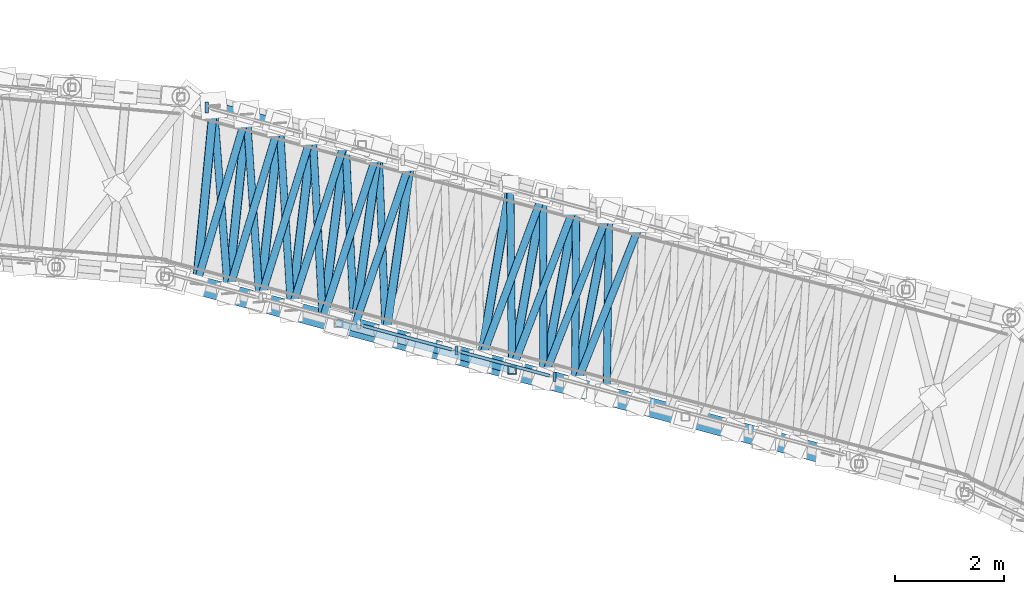
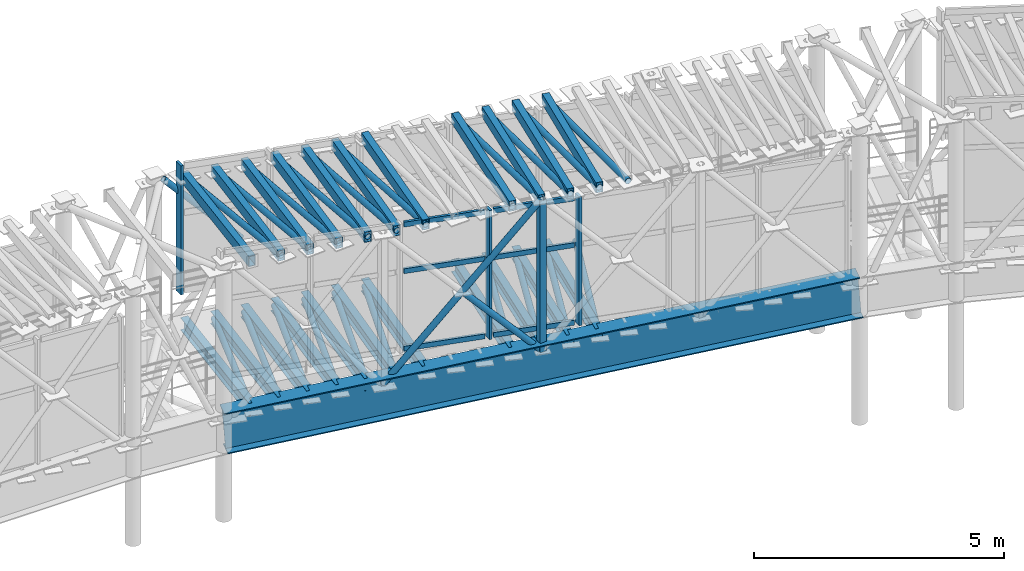
# One storey, part 58 of 144: 44 members, 12 beams, 2 elements without a shape of their own.
"""IFC4 building model written with IfcOpenShell, lengths in metres."""

import ifcopenshell
import ifcopenshell.guid

model = None  # the IFC model being written
_history = None  # IfcOwnerHistory: only IFC2X3 demands one
_inside = {}  # id of a spatial element -> (the spatial element, [elements in it])
_under = {}  # id of a project, library or spatial element -> (it, [spatial elements below it])
_declared = {}  # id of a project -> (the project, [libraries it declares])
_typed = {}  # id of a type object -> (the type object, [elements of that type])
_made_of = {}  # id of a material, layer set ... -> (it, [elements and type objects made of it])


def new_model(schema):
    """Start an empty IFC model of exactly this schema.

    Asked for "IFC4X3", IfcOpenShell would pick the latest addendum, in which some entities
    have other attributes; the version numbers below select the first issue.
    IFC2X3 requires an IfcOwnerHistory on every rooted entity: one is made here for all.
    """
    global model, _history
    if schema == "IFC4X3":
        model = ifcopenshell.file(schema_version=(4, 3, 0, 0))
    else:
        model = ifcopenshell.file(schema=schema)
    _inside.clear()
    _under.clear()
    _declared.clear()
    _typed.clear()
    _made_of.clear()
    _history = None
    if model.schema == "IFC2X3":
        org = make("IfcOrganization", Name="unknown")
        user = make(
            "IfcPersonAndOrganization",
            ThePerson=make("IfcPerson", FamilyName="unknown"),
            TheOrganization=org,
        )
        app = make(
            "IfcApplication",
            ApplicationDeveloper=org,
            Version="unknown",
            ApplicationFullName="unknown",
            ApplicationIdentifier="unknown",
        )
        _history = make(
            "IfcOwnerHistory",
            OwningUser=user,
            OwningApplication=app,
            ChangeAction="ADDED",
            CreationDate=0,
        )
    return model


def make(cls, **values):
    """One entity of the class cls with the attributes given. An attribute that is None is left unset."""
    return model.create_entity(
        cls, **{name: value for name, value in values.items() if value is not None}
    )


def rooted(cls, **values):
    """An entity with a GlobalId (a new one), such as an element, a storey or a relation."""
    return make(cls, GlobalId=ifcopenshell.guid.new(), OwnerHistory=_history, **values)


def si_unit(unit_type, name, prefix=None):
    """IfcSIUnit, for example si_unit("LENGTHUNIT", "METRE", prefix="MILLI")."""
    return make("IfcSIUnit", UnitType=unit_type, Prefix=prefix, Name=name)


def assignment(units):
    """IfcUnitAssignment: the units of a project."""
    return None if units is None else make("IfcUnitAssignment", Units=units)


def point(xyz):
    """IfcCartesianPoint."""
    return None if xyz is None else make("IfcCartesianPoint", Coordinates=xyz)


def direction(xyz):
    """IfcDirection."""
    return None if xyz is None else make("IfcDirection", DirectionRatios=xyz)


def frame(location, z_axis=None, x_axis=None):
    """IfcAxis2Placement3D, a coordinate frame: its origin and axes. An axis left out is left unset."""
    return make(
        "IfcAxis2Placement3D",
        Location=point(location),
        Axis=direction(z_axis),
        RefDirection=direction(x_axis),
    )


def frame_2d(location, x_axis=None):
    """IfcAxis2Placement2D, a coordinate frame in the plane: its origin and x axis."""
    return make(
        "IfcAxis2Placement2D", Location=point(location), RefDirection=direction(x_axis)
    )


def origin():
    """The frame at (0, 0, 0) with its axes left unset."""
    return frame((0.0, 0.0, 0.0))


def origin_2d():
    """The frame at (0, 0) in the plane with its x axis left unset."""
    return frame_2d((0.0, 0.0))


def place(relative_to, where):
    """IfcLocalPlacement: puts the frame where relative to a parent placement (None: the world)."""
    return make(
        "IfcLocalPlacement", PlacementRelTo=relative_to, RelativePlacement=where
    )


def context(
    kind, dimensions, precision=None, world=None, true_north=None, identifier=None
):
    """IfcGeometricRepresentationContext, for example the 3D "Model" context."""
    return make(
        "IfcGeometricRepresentationContext",
        ContextIdentifier=identifier,
        ContextType=kind,
        CoordinateSpaceDimension=dimensions,
        Precision=precision,
        WorldCoordinateSystem=world,
        TrueNorth=true_north,
    )


def subcontext(parent, identifier, kind, view, scale=None):
    """IfcGeometricRepresentationSubContext, for example "Body" below "Model"."""
    return make(
        "IfcGeometricRepresentationSubContext",
        ContextIdentifier=identifier,
        ContextType=kind,
        ParentContext=parent,
        TargetScale=scale,
        TargetView=view,
    )


def project(units=None, contexts=None):
    """IfcProject with its units and contexts."""
    return rooted(
        "IfcProject",
        Name="project",
        RepresentationContexts=contexts,
        UnitsInContext=assignment(units),
    )


def spatial(cls, under=None, at=None, **own):
    """A site, building, storey or space (cls), placed at a placement, below another one or the project."""
    s = rooted(cls, ObjectPlacement=at, **own)
    if under is not None:
        _under.setdefault(under.id(), (under, []))[1].append(s)
    return s


def profile(cls, at=None, kind="AREA", **sizes):
    """A parametric profile (cls). Its sizes go by their IFC names, for example OverallWidth=200.0."""
    return make(cls, ProfileType=kind, Position=at, **sizes)


def rectangle(**sizes):
    """IfcRectangleProfileDef."""
    return profile("IfcRectangleProfileDef", **sizes)


def hollow_rectangle(**sizes):
    """IfcRectangleHollowProfileDef."""
    return profile("IfcRectangleHollowProfileDef", **sizes)


def hollow_circle(**sizes):
    """IfcCircleHollowProfileDef."""
    return profile("IfcCircleHollowProfileDef", **sizes)


def i_section(**sizes):
    """IfcIShapeProfileDef."""
    return profile("IfcIShapeProfileDef", **sizes)


def extrude(swept, where, along, depth):
    """IfcExtrudedAreaSolid: the profile swept, set in the frame where, extruded along a direction by depth."""
    return make(
        "IfcExtrudedAreaSolid",
        SweptArea=swept,
        Position=where,
        ExtrudedDirection=direction(along),
        Depth=depth,
    )


def shape(context_of_items, identifier, shape_type, items):
    """IfcShapeRepresentation: the items that make up one representation, for example the "Body"."""
    return make(
        "IfcShapeRepresentation",
        ContextOfItems=context_of_items,
        RepresentationIdentifier=identifier,
        RepresentationType=shape_type,
        Items=items,
    )


def material(Name=None, Category=None):
    """IfcMaterial."""
    return make("IfcMaterial", Name=Name, Category=Category)


def material_profile(
    of_material, cross_section, Name=None, Category=None, Priority=None
):
    """IfcMaterialProfile: a cross section and its material."""
    return make(
        "IfcMaterialProfile",
        Name=Name,
        Material=of_material,
        Profile=cross_section,
        Priority=Priority,
        Category=Category,
    )


def profile_set(profiles, Name=None, composite=None):
    """IfcMaterialProfileSet."""
    return make(
        "IfcMaterialProfileSet",
        Name=Name,
        MaterialProfiles=profiles,
        CompositeProfile=composite,
    )


def made_of(thing, what):
    """Note that an element or type object is made of a material, layer set ...; save() writes the relation."""
    if what is not None:
        _made_of.setdefault(what.id(), (what, []))[1].append(thing)
    return thing


def type_object(cls, material=None, **own):
    """A type object (cls), such as IfcWallType, which elements share."""
    return made_of(rooted(cls, **own), material)


def element(
    cls,
    number,
    at=None,
    inside=None,
    cuts=None,
    type_object=None,
    material=None,
    context=None,
    identifier="Body",
    shape_type=None,
    held_by="IfcProductDefinitionShape",
    body=None,
    shapes=None,
    **own,
):
    """One element of the class cls, such as IfcWall. Its Tag is "e" and its number.

    at: its placement. inside: the storey or other place that contains it. cuts: it is an
    opening in that element (IfcRelVoidsElement). A single representation is given by context,
    identifier, shape_type and body (its items); several are given by shapes. held_by: the class
    of the entity that holds the representations. save() writes the other relations.
    """
    e = rooted(cls, Tag="e%d" % number, ObjectPlacement=at, **own)
    if body is not None:
        shapes = [shape(context, identifier, shape_type, body)]
    if shapes is not None:
        e.Representation = make(held_by, Representations=shapes)
    if inside is not None:
        _inside.setdefault(inside.id(), (inside, []))[1].append(e)
    if cuts is not None:
        rooted(
            "IfcRelVoidsElement", RelatingBuildingElement=cuts, RelatedOpeningElement=e
        )
    if type_object is not None:
        _typed.setdefault(type_object.id(), (type_object, []))[1].append(e)
    return made_of(e, material)


def aggregate(whole, parts):
    """IfcRelAggregates: a whole, such as a stair, and the parts it consists of."""
    return rooted("IfcRelAggregates", RelatingObject=whole, RelatedObjects=parts)


def save(model, path):
    """Write the relations noted so far, then the file.

    IfcRelAggregates (storeys below a building ...), IfcRelContainedInSpatialStructure (elements
    in a storey), IfcRelDefinesByType, IfcRelAssociatesMaterial and IfcRelDeclares: one each for
    every whole, place, type object, material and project.
    """
    for whole, parts in _under.values():
        aggregate(whole, parts)
    for where, things in _inside.values():
        rooted(
            "IfcRelContainedInSpatialStructure",
            RelatedElements=things,
            RelatingStructure=where,
        )
    for kind, things in _typed.values():
        rooted("IfcRelDefinesByType", RelatedObjects=things, RelatingType=kind)
    for what, things in _made_of.values():
        rooted("IfcRelAssociatesMaterial", RelatedObjects=things, RelatingMaterial=what)
    for by, libraries in _declared.values():
        rooted("IfcRelDeclares", RelatingContext=by, RelatedDefinitions=libraries)
    model.write(path)


model = new_model("IFC4")

# Units and contexts
model_context = context("Model", 3, precision=1e-05, world=origin(), true_north=direction((0.0, 1.0)))
body_context = subcontext(model_context, "Body", "Model", "MODEL_VIEW")
ifc_project = project(units=[si_unit("LENGTHUNIT", "METRE"), si_unit("AREAUNIT", "SQUARE_METRE"), si_unit("VOLUMEUNIT", "CUBIC_METRE"), si_unit("PLANEANGLEUNIT", "RADIAN"), si_unit("MASSUNIT", "GRAM", prefix="KILO")], contexts=[model_context])

# Site, building, storey
site_placement = place(None, origin())
site = spatial("IfcSite", under=ifc_project, at=site_placement, CompositionType="ELEMENT")
building_placement = place(site_placement, origin())
building = spatial("IfcBuilding", under=site, at=building_placement, Name="Cinderbank Siding Concert Hall", CompositionType="ELEMENT")
storey_placement = place(building_placement, frame((0.0, 0.0, 5.39990234375)))
storey = spatial("IfcBuildingStorey", under=building, at=storey_placement, Name="L02", CompositionType="ELEMENT", Elevation=5.39990234375)

# Beam
ifc_material_1 = material(Name="Structural steel welded plate section AS/NZS 3679.2 / AS/NZS 3678 Grade 350 (340 MPa)", Category="steel")
ifc_material_profile_1 = material_profile(ifc_material_1, i_section(OverallWidth=0.35009765625, OverallDepth=1.0, WebThickness=0.013916015625, FlangeThickness=0.02490234375, at=origin_2d()), Name="1000WB258", Category="LoadBearing")
ifc_profile_set_1 = profile_set([ifc_material_profile_1], Name="Structural steel welded plate section AS/NZS 3679.2 / AS/NZS 3678 Grade 350 (340 MPa)")
beam_type_1 = type_object("IfcBeamType", Name="BM-WB1000 1000WB258", PredefinedType="BEAM", material=ifc_profile_set_1)
beam_1_placement = place(storey_placement, frame((94.574951171875, 97.802001953125, 2.16015625), z_axis=(0.962882445737, -0.259921799877, 0.072787730013), x_axis=(0.260613087772, 0.965443327431, 0.0)))
element("IfcBeam", 1, at=beam_1_placement, inside=storey, type_object=beam_type_1, Name="L02 Beam BM-WB1000 #1986", PredefinedType="BEAM", context=body_context, shape_type="SweptSolid", body=[
    extrude(i_section(OverallWidth=0.35009765625, OverallDepth=1.0, WebThickness=0.013916015625, FlangeThickness=0.02490234375, at=origin_2d()), origin(), (0.0, 0.0, 1.0), 13.1884765625),
])

# Members
ifc_material_2 = material(Name="Structural steel hollow section AS/NZS 1163 Grade C350L0 (350 MPa)", Category="steel")
ifc_material_profile_2 = material_profile(ifc_material_2, hollow_circle(Radius=0.06982421875, WallThickness=0.00634765625, at=origin_2d()), Name="139.7x6.4CHS", Category="LoadBearing")
ifc_profile_set_2 = profile_set([ifc_material_profile_2], Name="Structural steel hollow section AS/NZS 1163 Grade C350L0 (350 MPa)")
member_type_1 = type_object("IfcMemberType", Name="BR-CHS139 139.7x6.4CHS Roof Truss", PredefinedType="BRACE", material=ifc_profile_set_2)
member_1_placement = place(storey_placement, frame((95.046630859375, 101.041259765625, 6.143310546875), z_axis=(0.659379670982, -0.175420850507, -0.731058119921), x_axis=(0.257096502905, 0.966385734681, 0.0)))
element("IfcMember", 2, at=member_1_placement, inside=storey, type_object=member_type_1, Name="L02 Diagonal Brace BR-CHS139 #BRDL-BR-CHS139-L02-0341", PredefinedType="BRACE", context=body_context, shape_type="SweptSolid", body=[
    extrude(hollow_circle(Radius=0.06982421875, WallThickness=0.00634765625, at=origin_2d()), origin(), (0.0, 0.0, 1.0), 2.3603515625),
])
member_2_placement = place(storey_placement, frame((97.749755859375, 96.945068359375, 2.670166015625), z_axis=(0.618630857783, -0.167026525813, 0.767722607114), x_axis=(0.260660316557, 0.965430577189, 0.0)))
element("IfcMember", 3, at=member_2_placement, inside=storey, type_object=member_type_1, Name="L02 Diagonal Brace BR-CHS139 #BRDR-BR-CHS139-L02-0355", PredefinedType="BRACE", context=body_context, shape_type="SweptSolid", body=[
    extrude(hollow_circle(Radius=0.06982421875, WallThickness=0.00634765625, at=origin_2d()), origin(), (0.0, 0.0, 1.0), 5.132080078125),
])
member_3_placement = place(storey_placement, frame((99.34716796875, 96.513916015625, 4.629150390625), z_axis=(0.665110411988, -0.179634370673, -0.724816964991), x_axis=(0.260739663753, 0.965409150436, 0.0)))
element("IfcMember", 4, at=member_3_placement, inside=storey, type_object=member_type_1, Name="L02 Diagonal Brace BR-CHS139 #BRDR-BR-CHS139-L02-0356-S42", PredefinedType="BRACE", context=body_context, shape_type="SweptSolid", body=[
    extrude(hollow_circle(Radius=0.06982421875, WallThickness=0.00634765625, at=origin_2d()), origin(), (0.0, 0.0, 1.0), 2.37158203125),
])
member_4_placement = place(storey_placement, frame((95.152099609375, 97.646240234375, 2.503662109375), z_axis=(0.281633275739, 0.959428192612, 0.013425394503), x_axis=(-0.959514668555, 0.281658660133, 0.0)))
element("IfcMember", 5, at=member_4_placement, inside=storey, type_object=member_type_1, Name="L02 Diagonal Brace BR-CHS139 #BRST-BR-CHS139-L02-0365", PredefinedType="BRACE", context=body_context, shape_type="SweptSolid", body=[
    extrude(hollow_circle(Radius=0.06982421875, WallThickness=0.00634765625, at=origin_2d()), origin(), (0.0, 0.0, 1.0), 3.255126953125),
])
member_5_placement = place(storey_placement, frame((95.466064453125, 100.9296875, 6.143798828125), z_axis=(0.076365610167, -0.996999397981, 0.012668623003), x_axis=(0.997079413828, 0.076371739016, 0.0)))
element("IfcMember", 6, at=member_5_placement, inside=storey, type_object=member_type_1, Name="L02 Diagonal Brace BR-CHS139 #BRXR-BR-CHS139-L02-0366", PredefinedType="BRACE", context=body_context, shape_type="SweptSolid", body=[
    extrude(hollow_circle(Radius=0.06982421875, WallThickness=0.00634765625, at=origin_2d()), origin(), (0.0, 0.0, 1.0), 3.449462890625),
])
member_6_placement = place(storey_placement, frame((95.7294921875, 97.490478515625, 2.54736328125), z_axis=(0.289253288095, 0.957158613687, 0.013413559215), x_axis=(-0.957244733006, 0.289279313349, 0.0)))
element("IfcMember", 7, at=member_6_placement, inside=storey, type_object=member_type_1, Name="L02 Diagonal Brace BR-CHS139 #BRST-BR-CHS139-L02-0368", PredefinedType="BRACE", context=body_context, shape_type="SweptSolid", body=[
    extrude(hollow_circle(Radius=0.06982421875, WallThickness=0.00634765625, at=origin_2d()), origin(), (0.0, 0.0, 1.0), 3.258056640625),
])
member_7_placement = place(storey_placement, frame((96.06884765625, 100.769287109375, 6.1875), z_axis=(0.069059411707, -0.997532713868, 0.012620713844), x_axis=(0.997612168071, 0.069064912339, 0.0)))
element("IfcMember", 8, at=member_7_placement, inside=storey, type_object=member_type_1, Name="L02 Diagonal Brace BR-CHS139 #BRXR-BR-CHS139-L02-0369", PredefinedType="BRACE", context=body_context, shape_type="SweptSolid", body=[
    extrude(hollow_circle(Radius=0.06982421875, WallThickness=0.00634765625, at=origin_2d()), origin(), (0.0, 0.0, 1.0), 3.443359375),
])
member_8_placement = place(storey_placement, frame((96.306640625, 97.33447265625, 2.591064453125), z_axis=(0.296888503869, 0.954819179739, 0.013324799215), x_axis=(-0.954903955231, 0.296914863696, 0.0)))
element("IfcMember", 9, at=member_8_placement, inside=storey, type_object=member_type_1, Name="L02 Diagonal Brace BR-CHS139 #BRST-BR-CHS139-L02-0371", PredefinedType="BRACE", context=body_context, shape_type="SweptSolid", body=[
    extrude(hollow_circle(Radius=0.06982421875, WallThickness=0.00634765625, at=origin_2d()), origin(), (0.0, 0.0, 1.0), 3.261474609375),
])
member_9_placement = place(storey_placement, frame((96.671875, 100.60888671875, 6.23095703125), z_axis=(0.061656814907, -0.998016416408, 0.012714942245), x_axis=(0.998097100726, 0.061661799532, 0.0)))
element("IfcMember", 10, at=member_9_placement, inside=storey, type_object=member_type_1, Name="L02 Diagonal Brace BR-CHS139 #BRXR-BR-CHS139-L02-0372", PredefinedType="BRACE", context=body_context, shape_type="SweptSolid", body=[
    extrude(hollow_circle(Radius=0.06982421875, WallThickness=0.00634765625, at=origin_2d()), origin(), (0.0, 0.0, 1.0), 3.43701171875),
])
member_10_placement = place(storey_placement, frame((96.8837890625, 97.1787109375, 2.634521484375), z_axis=(0.304441782447, 0.952436880679, 0.01338616533), x_axis=(-0.952522225456, 0.304469062487, 0.0)))
element("IfcMember", 11, at=member_10_placement, inside=storey, type_object=member_type_1, Name="L02 Diagonal Brace BR-CHS139 #BRST-BR-CHS139-L02-0374", PredefinedType="BRACE", context=body_context, shape_type="SweptSolid", body=[
    extrude(hollow_circle(Radius=0.06982421875, WallThickness=0.00634765625, at=origin_2d()), origin(), (0.0, 0.0, 1.0), 3.2646484375),
])
member_11_placement = place(storey_placement, frame((97.27490234375, 100.448486328125, 6.274658203125), z_axis=(0.054294956799, -0.998443694421, 0.012737611097), x_axis=(0.998524701394, 0.054299361925, 0.0)))
element("IfcMember", 12, at=member_11_placement, inside=storey, type_object=member_type_1, Name="L02 Diagonal Brace BR-CHS139 #BRXR-BR-CHS139-L02-0375", PredefinedType="BRACE", context=body_context, shape_type="SweptSolid", body=[
    extrude(hollow_circle(Radius=0.06982421875, WallThickness=0.00634765625, at=origin_2d()), origin(), (0.0, 0.0, 1.0), 3.430908203125),
])
member_12_placement = place(storey_placement, frame((97.461181640625, 97.02294921875, 2.67822265625), z_axis=(0.311982808563, 0.949993628756, 0.013372826325), x_axis=(-0.950078585011, 0.312010708635, 0.0)))
element("IfcMember", 13, at=member_12_placement, inside=storey, type_object=member_type_1, Name="L02 Diagonal Brace BR-CHS139 #BRST-BR-CHS139-L02-0377", PredefinedType="BRACE", context=body_context, shape_type="SweptSolid", body=[
    extrude(hollow_circle(Radius=0.06982421875, WallThickness=0.00634765625, at=origin_2d()), origin(), (0.0, 0.0, 1.0), 3.267822265625),
])
member_13_placement = place(storey_placement, frame((97.877685546875, 100.2880859375, 6.318359375), z_axis=(0.046904279885, -0.998818799003, 0.012688391823), x_axis=(0.998899211272, 0.046908056025, 0.0)))
element("IfcMember", 14, at=member_13_placement, inside=storey, type_object=member_type_1, Name="L02 Diagonal Brace BR-CHS139 #BRXR-BR-CHS139-L02-0378", PredefinedType="BRACE", context=body_context, shape_type="SweptSolid", body=[
    extrude(hollow_circle(Radius=0.06982421875, WallThickness=0.00634765625, at=origin_2d()), origin(), (0.0, 0.0, 1.0), 3.425048828125),
])
member_14_placement = place(storey_placement, frame((98.038330078125, 96.8671875, 2.721923828125), z_axis=(0.319533221486, 0.947480923216, 0.013357413976), x_axis=(-0.947565459542, 0.319561730941, 0.0)))
element("IfcMember", 15, at=member_14_placement, inside=storey, type_object=member_type_1, Name="L02 Diagonal Brace BR-CHS139 #BRST-BR-CHS139-L02-0380", PredefinedType="BRACE", context=body_context, shape_type="SweptSolid", body=[
    extrude(hollow_circle(Radius=0.06982421875, WallThickness=0.00634765625, at=origin_2d()), origin(), (0.0, 0.0, 1.0), 3.271728515625),
])
member_15_placement = place(storey_placement, frame((98.480712890625, 100.12744140625, 6.36181640625), z_axis=(0.039414417558, -0.999141204507, 0.012781124534), x_axis=(0.999222822934, 0.039417637266, 0.0)))
element("IfcMember", 16, at=member_15_placement, inside=storey, type_object=member_type_1, Name="L02 Diagonal Brace BR-CHS139 #BRXR-BR-CHS139-L02-0381", PredefinedType="BRACE", context=body_context, shape_type="SweptSolid", body=[
    extrude(hollow_circle(Radius=0.06982421875, WallThickness=0.00634765625, at=origin_2d()), origin(), (0.0, 0.0, 1.0), 3.419189453125),
])
member_16_placement = place(storey_placement, frame((100.347412109375, 96.243896484375, 2.896484375), z_axis=(0.349122936552, 0.936982714259, 0.013287902539), x_axis=(-0.937065445962, 0.349153762665, 0.0)))
element("IfcMember", 17, at=member_16_placement, inside=storey, type_object=member_type_1, Name="L02 Diagonal Brace BR-CHS139 #BRST-BR-CHS139-L02-0392", PredefinedType="BRACE", context=body_context, shape_type="SweptSolid", body=[
    extrude(hollow_circle(Radius=0.06982421875, WallThickness=0.00634765625, at=origin_2d()), origin(), (0.0, 0.0, 1.0), 3.288818359375),
])
member_17_placement = place(storey_placement, frame((100.892578125, 99.48583984375, 6.536376953125), z_axis=(0.00941107676, -0.99987302554, 0.012859410229), x_axis=(0.999955707512, 0.009411854985, 0.0)))
element("IfcMember", 18, at=member_17_placement, inside=storey, type_object=member_type_1, Name="L02 Diagonal Brace BR-CHS139 #BRXR-BR-CHS139-L02-0393", PredefinedType="BRACE", context=body_context, shape_type="SweptSolid", body=[
    extrude(hollow_circle(Radius=0.06982421875, WallThickness=0.00634765625, at=origin_2d()), origin(), (0.0, 0.0, 1.0), 3.3984375),
])
member_18_placement = place(storey_placement, frame((100.924560546875, 96.087890625, 2.940185546875), z_axis=(0.356383503505, 0.934246605278, 0.013193898424), x_axis=(-0.934327932233, 0.35641452699, 0.0)))
element("IfcMember", 19, at=member_18_placement, inside=storey, type_object=member_type_1, Name="L02 Diagonal Brace BR-CHS139 #BRST-BR-CHS139-L02-0395", PredefinedType="BRACE", context=body_context, shape_type="SweptSolid", body=[
    extrude(hollow_circle(Radius=0.06982421875, WallThickness=0.00634765625, at=origin_2d()), origin(), (0.0, 0.0, 1.0), 3.293701171875),
])
member_19_placement = place(storey_placement, frame((101.49560546875, 99.325439453125, 6.580078125), z_axis=(0.001798538498, -0.999915463594, 0.012877535649), x_axis=(0.99999838236, 0.001798687644, 0.0)))
element("IfcMember", 20, at=member_19_placement, inside=storey, type_object=member_type_1, Name="L02 Diagonal Brace BR-CHS139 #BRXR-BR-CHS139-L02-0396", PredefinedType="BRACE", context=body_context, shape_type="SweptSolid", body=[
    extrude(hollow_circle(Radius=0.06982421875, WallThickness=0.00634765625, at=origin_2d()), origin(), (0.0, 0.0, 1.0), 3.3935546875),
])
member_20_placement = place(storey_placement, frame((101.501708984375, 95.93212890625, 2.983642578125), z_axis=(0.363689164129, 0.931426155995, 0.013247936585), x_axis=(-0.931507903044, 0.363721083477, 0.0)))
element("IfcMember", 21, at=member_20_placement, inside=storey, type_object=member_type_1, Name="L02 Diagonal Brace BR-CHS139 #BRST-BR-CHS139-L02-0398", PredefinedType="BRACE", context=body_context, shape_type="SweptSolid", body=[
    extrude(hollow_circle(Radius=0.06982421875, WallThickness=0.00634765625, at=origin_2d()), origin(), (0.0, 0.0, 1.0), 3.298828125),
])
member_21_placement = place(storey_placement, frame((102.098388671875, 99.1650390625, 6.623779296875), z_axis=(-0.005691077248, -0.999900660728, 0.012894972498), x_axis=(0.999983802995, -0.005691550464, 0.0)))
element("IfcMember", 22, at=member_21_placement, inside=storey, type_object=member_type_1, Name="L02 Diagonal Brace BR-CHS139 #BRXR-BR-CHS139-L02-0399", PredefinedType="BRACE", context=body_context, shape_type="SweptSolid", body=[
    extrude(hollow_circle(Radius=0.06982421875, WallThickness=0.00634765625, at=origin_2d()), origin(), (0.0, 0.0, 1.0), 3.388916015625),
])
member_22_placement = place(storey_placement, frame((102.0791015625, 95.7763671875, 3.02734375), z_axis=(0.370886727691, 0.928583905193, 0.013227480426), x_axis=(-0.928665151272, 0.370919178277, 0.0)))
element("IfcMember", 23, at=member_22_placement, inside=storey, type_object=member_type_1, Name="L02 Diagonal Brace BR-CHS139 #BRST-BR-CHS139-L02-0401", PredefinedType="BRACE", context=body_context, shape_type="SweptSolid", body=[
    extrude(hollow_circle(Radius=0.06982421875, WallThickness=0.00634765625, at=origin_2d()), origin(), (0.0, 0.0, 1.0), 3.3037109375),
])
member_23_placement = place(storey_placement, frame((102.701416015625, 99.004638671875, 6.66748046875), z_axis=(-0.013344511664, -0.99982851984, 0.012839584195), x_axis=(0.999910943358, -0.013345611754, 0.0)))
element("IfcMember", 24, at=member_23_placement, inside=storey, type_object=member_type_1, Name="L02 Diagonal Brace BR-CHS139 #BRXR-BR-CHS139-L02-0402", PredefinedType="BRACE", context=body_context, shape_type="SweptSolid", body=[
    extrude(hollow_circle(Radius=0.06982421875, WallThickness=0.00634765625, at=origin_2d()), origin(), (0.0, 0.0, 1.0), 3.384521484375),
])
ifc_material_profile_3 = material_profile(ifc_material_2, hollow_rectangle(XDim=0.14990234375, YDim=0.14990234375, WallThickness=0.008056640625, at=origin_2d()), Name="150x150x8.0SHS", Category="LoadBearing")
ifc_profile_set_3 = profile_set([ifc_material_profile_3], Name="Structural steel hollow section AS/NZS 1163 Grade C350L0 (350 MPa)")
member_type_2 = type_object("IfcMemberType", Name="BR-SHS150 150x150x8.0SHS Roof Truss", PredefinedType="BRACE", material=ifc_profile_set_3)
member_24_placement = place(storey_placement, frame((100.924560546875, 96.087890625, 2.91015625), z_axis=(0.0, 0.0, 1.0), x_axis=(1.0, 0.0, 0.0)))
element("IfcMember", 25, at=member_24_placement, inside=storey, type_object=member_type_2, Name="L02 Diagonal Brace BR-SHS150 #BRVR-BR-SHS150-L02-0357", PredefinedType="BRACE", context=body_context, shape_type="SweptSolid", body=[
    extrude(hollow_rectangle(XDim=0.14990234375, YDim=0.14990234375, WallThickness=0.008056640625, at=origin_2d()), origin(), (0.0, 0.0, 1.0), 3.699951171875),
])

# Curtain wall, members
ifc_material_3 = material(Name="Anodised aluminium alloy 6063-T6", Category="aluminium")
curtain_wall_type = type_object("IfcCurtainWallType", Name="CW-15 Unitised Acoustic Curtain Wall 12800x3200", PredefinedType="NOTDEFINED", material=ifc_material_3)
curtain_wall_1_placement = place(storey_placement, origin())
curtain_wall_1 = element("IfcCurtainWall", 26, at=curtain_wall_1_placement, inside=storey, type_object=curtain_wall_type, Name="L02 Curtain Wall CW-15 #160", PredefinedType="NOTDEFINED")
ifc_material_profile_4 = material_profile(ifc_material_3, rectangle(XDim=0.06005859375, YDim=0.159912109375, at=origin_2d()), Name="ALU-MULL-60x160", Category="LoadBearing")
ifc_profile_set_4 = profile_set([ifc_material_profile_4], Name="Anodised aluminium alloy 6063-T6")
member_type_3 = type_object("IfcMemberType", Name="CW-ML1 Mullion 60x160", PredefinedType="MULLION", material=ifc_profile_set_4)
member_25_placement = place(storey_placement, frame((99.910400390625, 96.440185546875, 3.360107421875), z_axis=(0.0, 0.0, 1.0), x_axis=(1.0, 0.0, 0.0)))
member_25 = element("IfcMember", 27, at=member_25_placement, type_object=member_type_3, Name="CW-L02-160 Mullion 3", PredefinedType="MULLION", context=body_context, shape_type="SweptSolid", body=[
    extrude(rectangle(XDim=0.06005859375, YDim=0.159912109375, at=origin_2d()), origin(), (0.0, 0.0, 1.0), 3.14990234375),
])
member_26_placement = place(storey_placement, frame((101.7021484375, 95.9599609375, 3.360107421875), z_axis=(0.0, 0.0, 1.0), x_axis=(1.0, 0.0, 0.0)))
member_26 = element("IfcMember", 28, at=member_26_placement, type_object=member_type_3, Name="CW-L02-160 Mullion 4", PredefinedType="MULLION", context=body_context, shape_type="SweptSolid", body=[
    extrude(rectangle(XDim=0.06005859375, YDim=0.159912109375, at=origin_2d()), origin(), (0.0, 0.0, 1.0), 3.14990234375),
])

# Curtain wall, member
curtain_wall_2_placement = place(storey_placement, origin())
curtain_wall_2 = element("IfcCurtainWall", 29, at=curtain_wall_2_placement, inside=storey, type_object=curtain_wall_type, Name="L02 Curtain Wall CW-15 #159", PredefinedType="NOTDEFINED")
ifc_material_profile_5 = material_profile(ifc_material_3, rectangle(XDim=0.06494140625, YDim=0.199951171875, at=origin_2d()), Name="ALU-MULL-65x200", Category="LoadBearing")
ifc_profile_set_5 = profile_set([ifc_material_profile_5], Name="Anodised aluminium alloy 6063-T6")
member_type_4 = type_object("IfcMemberType", Name="CW-ML2 Mullion 65x200", PredefinedType="MULLION", material=ifc_profile_set_5)
member_27_placement = place(storey_placement, frame((95.342041015625, 100.894287109375, 3.360107421875), z_axis=(0.0, 0.0, 1.0), x_axis=(1.0, 0.0, 0.0)))
member_27 = element("IfcMember", 30, at=member_27_placement, type_object=member_type_4, Name="CW-L02-159 Mullion 0", PredefinedType="MULLION", context=body_context, shape_type="SweptSolid", body=[
    extrude(rectangle(XDim=0.06494140625, YDim=0.199951171875, at=origin_2d()), origin(), (0.0, 0.0, 1.0), 3.14990234375),
])
aggregate(curtain_wall_2, [member_27])

# Member
ifc_material_profile_6 = material_profile(ifc_material_3, rectangle(XDim=0.06005859375, YDim=0.1201171875, at=origin_2d()), Name="ALU-TRAN-60x120", Category="LoadBearing")
ifc_profile_set_6 = profile_set([ifc_material_profile_6], Name="Anodised aluminium alloy 6063-T6")
member_type_5 = type_object("IfcMemberType", Name="CW-TR1 Transom 60x120", PredefinedType="USERDEFINED", material=ifc_profile_set_6)
member_28_placement = place(storey_placement, frame((98.2080078125, 96.896240234375, 3.420166015625), z_axis=(0.965928471546, -0.258809172667, 0.0), x_axis=(0.258809172667, 0.965928471546, 0.0)))
member_28 = element("IfcMember", 31, at=member_28_placement, type_object=member_type_5, Name="CW-L02-160 Transom 2-0", ObjectType="TRANSOM", PredefinedType="USERDEFINED", context=body_context, shape_type="SweptSolid", body=[
    extrude(rectangle(XDim=0.06005859375, YDim=0.1201171875, at=origin_2d()), origin(), (0.0, 0.0, 1.0), 1.669677734375),
])

member_29_placement = place(storey_placement, frame((98.2080078125, 96.896240234375, 5.31298828125), z_axis=(0.965928471546, -0.258809172667, 0.0), x_axis=(0.258809172667, 0.965928471546, 0.0)))
member_29 = element("IfcMember", 32, at=member_29_placement, type_object=member_type_5, Name="CW-L02-160 Transom 2-1", ObjectType="TRANSOM", PredefinedType="USERDEFINED", context=body_context, shape_type="SweptSolid", body=[
    extrude(rectangle(XDim=0.06005859375, YDim=0.1201171875, at=origin_2d()), origin(), (0.0, 0.0, 1.0), 1.669677734375),
])

member_30_placement = place(storey_placement, frame((98.2080078125, 96.896240234375, 6.4501953125), z_axis=(0.965928471546, -0.258809172667, 0.0), x_axis=(0.258809172667, 0.965928471546, 0.0)))
member_30 = element("IfcMember", 33, at=member_30_placement, type_object=member_type_5, Name="CW-L02-160 Transom 2-2", ObjectType="TRANSOM", PredefinedType="USERDEFINED", context=body_context, shape_type="SweptSolid", body=[
    extrude(rectangle(XDim=0.06005859375, YDim=0.1201171875, at=origin_2d()), origin(), (0.0, 0.0, 1.0), 1.669677734375),
])

member_31_placement = place(storey_placement, frame((100.0, 96.416015625, 3.420166015625), z_axis=(0.965918675344, -0.258845731319, 0.0), x_axis=(0.258845731319, 0.965918675344, 0.0)))
member_31 = element("IfcMember", 34, at=member_31_placement, type_object=member_type_5, Name="CW-L02-160 Transom 3-0", ObjectType="TRANSOM", PredefinedType="USERDEFINED", context=body_context, shape_type="SweptSolid", body=[
    extrude(rectangle(XDim=0.06005859375, YDim=0.1201171875, at=origin_2d()), origin(), (0.0, 0.0, 1.0), 1.66943359375),
])

member_32_placement = place(storey_placement, frame((100.0, 96.416015625, 5.31298828125), z_axis=(0.965918675344, -0.258845731319, 0.0), x_axis=(0.258845731319, 0.965918675344, 0.0)))
member_32 = element("IfcMember", 35, at=member_32_placement, type_object=member_type_5, Name="CW-L02-160 Transom 3-1", ObjectType="TRANSOM", PredefinedType="USERDEFINED", context=body_context, shape_type="SweptSolid", body=[
    extrude(rectangle(XDim=0.06005859375, YDim=0.1201171875, at=origin_2d()), origin(), (0.0, 0.0, 1.0), 1.66943359375),
])

member_33_placement = place(storey_placement, frame((100.0, 96.416015625, 6.4501953125), z_axis=(0.965918675344, -0.258845731319, 0.0), x_axis=(0.258845731319, 0.965918675344, 0.0)))
member_33 = element("IfcMember", 36, at=member_33_placement, type_object=member_type_5, Name="CW-L02-160 Transom 3-2", ObjectType="TRANSOM", PredefinedType="USERDEFINED", context=body_context, shape_type="SweptSolid", body=[
    extrude(rectangle(XDim=0.06005859375, YDim=0.1201171875, at=origin_2d()), origin(), (0.0, 0.0, 1.0), 1.66943359375),
])

aggregate(curtain_wall_1, [member_25, member_26, member_28, member_29, member_30, member_31, member_32, member_33])

# Beams
ifc_material_4 = material(Name="Structural steel AS/NZS 3679.1 Grade 350 (340 MPa)", Category="steel")
ifc_material_profile_7 = material_profile(ifc_material_4, i_section(OverallWidth=0.1650390625, OverallDepth=0.303955078125, WebThickness=0.006103515625, FlangeThickness=0.01025390625, at=origin_2d()), Name="310UB40.4", Category="LoadBearing")
ifc_profile_set_7 = profile_set([ifc_material_profile_7], Name="Structural steel AS/NZS 3679.1 Grade 350 (340 MPa)")
beam_type_2 = type_object("IfcBeamType", Name="JS-UB310 310UB40.4", PredefinedType="JOIST", material=ifc_profile_set_7)
beam_2_placement = place(storey_placement, frame((95.152099609375, 97.646240234375, 2.5517578125), z_axis=(0.09518632486, 0.99545947359, 0.0), x_axis=(-0.99545947359, 0.09518632486, 0.0)))
element("IfcBeam", 37, at=beam_2_placement, inside=storey, type_object=beam_type_2, Name="L02 Beam JS-UB310 #1987", PredefinedType="JOIST", context=body_context, shape_type="SweptSolid", body=[
    extrude(i_section(OverallWidth=0.1650390625, OverallDepth=0.303955078125, WebThickness=0.006103515625, FlangeThickness=0.01025390625, at=origin_2d()), origin(), (0.0, 0.0, 1.0), 3.29833984375),
])
beam_3_placement = place(storey_placement, frame((95.7294921875, 97.490478515625, 2.595458984375), z_axis=(0.102949689099, 0.994686564459, 0.0), x_axis=(-0.994686564459, 0.102949689099, 0.0)))
element("IfcBeam", 38, at=beam_3_placement, inside=storey, type_object=beam_type_2, Name="L02 Beam JS-UB310 #1988", PredefinedType="JOIST", context=body_context, shape_type="SweptSolid", body=[
    extrude(i_section(OverallWidth=0.1650390625, OverallDepth=0.303955078125, WebThickness=0.006103515625, FlangeThickness=0.01025390625, at=origin_2d()), origin(), (0.0, 0.0, 1.0), 3.29638671875),
])
beam_4_placement = place(storey_placement, frame((96.306640625, 97.33447265625, 2.638916015625), z_axis=(0.110854431444, 0.993836654098, 0.0), x_axis=(-0.993836654098, 0.110854431444, 0.0)))
element("IfcBeam", 39, at=beam_4_placement, inside=storey, type_object=beam_type_2, Name="L02 Beam JS-UB310 #1989", PredefinedType="JOIST", context=body_context, shape_type="SweptSolid", body=[
    extrude(i_section(OverallWidth=0.1650390625, OverallDepth=0.303955078125, WebThickness=0.006103515625, FlangeThickness=0.01025390625, at=origin_2d()), origin(), (0.0, 0.0, 1.0), 3.294677734375),
])
beam_5_placement = place(storey_placement, frame((96.8837890625, 97.1787109375, 2.6826171875), z_axis=(0.118768093613, 0.992922021077, 0.0), x_axis=(-0.992922021077, 0.118768093613, 0.0)))
element("IfcBeam", 40, at=beam_5_placement, inside=storey, type_object=beam_type_2, Name="L02 Beam JS-UB310 #1990", PredefinedType="JOIST", context=body_context, shape_type="SweptSolid", body=[
    extrude(i_section(OverallWidth=0.1650390625, OverallDepth=0.303955078125, WebThickness=0.006103515625, FlangeThickness=0.01025390625, at=origin_2d()), origin(), (0.0, 0.0, 1.0), 3.29296875),
])
beam_6_placement = place(storey_placement, frame((97.461181640625, 97.02294921875, 2.726318359375), z_axis=(0.12653561262, 0.991962065171, 0.0), x_axis=(-0.991962065171, 0.12653561262, 0.0)))
element("IfcBeam", 41, at=beam_6_placement, inside=storey, type_object=beam_type_2, Name="L02 Beam JS-UB310 #1991", PredefinedType="JOIST", context=body_context, shape_type="SweptSolid", body=[
    extrude(i_section(OverallWidth=0.1650390625, OverallDepth=0.303955078125, WebThickness=0.006103515625, FlangeThickness=0.01025390625, at=origin_2d()), origin(), (0.0, 0.0, 1.0), 3.29150390625),
])
beam_7_placement = place(storey_placement, frame((98.038330078125, 96.8671875, 2.77001953125), z_axis=(0.134457531453, 0.99091935708, 0.0), x_axis=(-0.99091935708, 0.134457531453, 0.0)))
element("IfcBeam", 42, at=beam_7_placement, inside=storey, type_object=beam_type_2, Name="L02 Beam JS-UB310 #1992", PredefinedType="JOIST", context=body_context, shape_type="SweptSolid", body=[
    extrude(i_section(OverallWidth=0.1650390625, OverallDepth=0.303955078125, WebThickness=0.006103515625, FlangeThickness=0.01025390625, at=origin_2d()), origin(), (0.0, 0.0, 1.0), 3.2900390625),
])
beam_8_placement = place(storey_placement, frame((98.615478515625, 96.711181640625, 2.8134765625), z_axis=(0.142356481699, 0.989815453566, 0.0), x_axis=(-0.989815453566, 0.142356481699, 0.0)))
element("IfcBeam", 43, at=beam_8_placement, inside=storey, type_object=beam_type_2, Name="L02 Beam JS-UB310 #1993", PredefinedType="JOIST", context=body_context, shape_type="SweptSolid", body=[
    extrude(i_section(OverallWidth=0.1650390625, OverallDepth=0.303955078125, WebThickness=0.006103515625, FlangeThickness=0.01025390625, at=origin_2d()), origin(), (0.0, 0.0, 1.0), 3.289306640625),
])
beam_9_placement = place(storey_placement, frame((100.347412109375, 96.243896484375, 2.944580078125), z_axis=(0.165831911738, 0.986154033125, 0.0), x_axis=(-0.986154033125, 0.165831911738, 0.0)))
element("IfcBeam", 44, at=beam_9_placement, inside=storey, type_object=beam_type_2, Name="L02 Beam JS-UB310 #1996", PredefinedType="JOIST", context=body_context, shape_type="SweptSolid", body=[
    extrude(i_section(OverallWidth=0.1650390625, OverallDepth=0.303955078125, WebThickness=0.006103515625, FlangeThickness=0.01025390625, at=origin_2d()), origin(), (0.0, 0.0, 1.0), 3.287353515625),
])
for number, where, z_axis, x_axis, name in (
    (45, (100.924560546875, 96.087890625, 2.988037109375), (0.173700603938, 0.984798507407, 0.0), (-0.984798507407, 0.173700603938, 0.0), "L02 Beam JS-UB310 #1997"),
    (46, (101.501708984375, 95.93212890625, 3.03173828125), (0.181498865755, 0.983391153982, 0.0), (-0.983391153982, 0.181498865755, 0.0), "L02 Beam JS-UB310 #1998"),
    (47, (102.0791015625, 95.7763671875, 3.075439453125), (0.189285299637, 0.981922133034, 0.0), (-0.981922133034, 0.189285299637, 0.0), "L02 Beam JS-UB310 #1999"),
):
    element("IfcBeam", number, at=place(storey_placement, frame(where, z_axis=z_axis, x_axis=x_axis)), inside=storey, type_object=beam_type_2, Name=name, PredefinedType="JOIST", context=body_context, shape_type="SweptSolid", body=[
        extrude(i_section(OverallWidth=0.1650390625, OverallDepth=0.303955078125, WebThickness=0.006103515625, FlangeThickness=0.01025390625, at=origin_2d()), origin(), (0.0, 0.0, 1.0), 3.28759765625),
    ])

# Members
ifc_material_profile_8 = material_profile(ifc_material_2, hollow_rectangle(XDim=0.14990234375, YDim=0.25, WallThickness=0.009033203125, at=origin_2d()), Name="250x150x9.0RHS", Category="LoadBearing")
ifc_profile_set_8 = profile_set([ifc_material_profile_8], Name="Structural steel hollow section AS/NZS 1163 Grade C350L0 (350 MPa)")
member_type_6 = type_object("IfcMemberType", Name="PR-RHS250 250x150x9.0RHS Roof Truss", PredefinedType="PURLIN", material=ifc_profile_set_8)
member_34_placement = place(storey_placement, frame((95.154541015625, 97.671142578125, 6.143798828125), z_axis=(0.095149576541, 0.995462986798, 0.0), x_axis=(-0.995462986798, 0.095149576541, 0.0)))
element("IfcMember", 48, at=member_34_placement, inside=storey, type_object=member_type_6, Name="L02 Roof Truss Member PR-RHS250 #363", PredefinedType="PURLIN", context=body_context, shape_type="SweptSolid", body=[
    extrude(hollow_rectangle(XDim=0.14990234375, YDim=0.25, WallThickness=0.009033203125, at=origin_2d()), origin(), (0.0, 0.0, 1.0), 3.248291015625),
])
member_35_placement = place(storey_placement, frame((95.7294921875, 97.490478515625, 6.1875), z_axis=(0.102949689099, 0.994686564459, 0.0), x_axis=(-0.994686564459, 0.102949689099, 0.0)))
element("IfcMember", 49, at=member_35_placement, inside=storey, type_object=member_type_6, Name="L02 Roof Truss Member PR-RHS250 #364", PredefinedType="PURLIN", context=body_context, shape_type="SweptSolid", body=[
    extrude(hollow_rectangle(XDim=0.14990234375, YDim=0.25, WallThickness=0.009033203125, at=origin_2d()), origin(), (0.0, 0.0, 1.0), 3.29638671875),
])
member_36_placement = place(storey_placement, frame((96.306640625, 97.33447265625, 6.23095703125), z_axis=(0.110854431444, 0.993836654098, 0.0), x_axis=(-0.993836654098, 0.110854431444, 0.0)))
element("IfcMember", 50, at=member_36_placement, inside=storey, type_object=member_type_6, Name="L02 Roof Truss Member PR-RHS250 #367", PredefinedType="PURLIN", context=body_context, shape_type="SweptSolid", body=[
    extrude(hollow_rectangle(XDim=0.14990234375, YDim=0.25, WallThickness=0.009033203125, at=origin_2d()), origin(), (0.0, 0.0, 1.0), 3.294677734375),
])
member_37_placement = place(storey_placement, frame((96.8837890625, 97.1787109375, 6.274658203125), z_axis=(0.118768093613, 0.992922021077, 0.0), x_axis=(-0.992922021077, 0.118768093613, 0.0)))
element("IfcMember", 51, at=member_37_placement, inside=storey, type_object=member_type_6, Name="L02 Roof Truss Member PR-RHS250 #370", PredefinedType="PURLIN", context=body_context, shape_type="SweptSolid", body=[
    extrude(hollow_rectangle(XDim=0.14990234375, YDim=0.25, WallThickness=0.009033203125, at=origin_2d()), origin(), (0.0, 0.0, 1.0), 3.29296875),
])
member_38_placement = place(storey_placement, frame((97.461181640625, 97.02294921875, 6.318359375), z_axis=(0.12653561262, 0.991962065171, 0.0), x_axis=(-0.991962065171, 0.12653561262, 0.0)))
element("IfcMember", 52, at=member_38_placement, inside=storey, type_object=member_type_6, Name="L02 Roof Truss Member PR-RHS250 #373", PredefinedType="PURLIN", context=body_context, shape_type="SweptSolid", body=[
    extrude(hollow_rectangle(XDim=0.14990234375, YDim=0.25, WallThickness=0.009033203125, at=origin_2d()), origin(), (0.0, 0.0, 1.0), 3.29150390625),
])
member_39_placement = place(storey_placement, frame((98.038330078125, 96.8671875, 6.36181640625), z_axis=(0.134457531453, 0.99091935708, 0.0), x_axis=(-0.99091935708, 0.134457531453, 0.0)))
element("IfcMember", 53, at=member_39_placement, inside=storey, type_object=member_type_6, Name="L02 Roof Truss Member PR-RHS250 #376", PredefinedType="PURLIN", context=body_context, shape_type="SweptSolid", body=[
    extrude(hollow_rectangle(XDim=0.14990234375, YDim=0.25, WallThickness=0.009033203125, at=origin_2d()), origin(), (0.0, 0.0, 1.0), 3.2900390625),
])
member_40_placement = place(storey_placement, frame((98.615478515625, 96.711181640625, 6.405517578125), z_axis=(0.142356481699, 0.989815453566, 0.0), x_axis=(-0.989815453566, 0.142356481699, 0.0)))
element("IfcMember", 54, at=member_40_placement, inside=storey, type_object=member_type_6, Name="L02 Roof Truss Member PR-RHS250 #379", PredefinedType="PURLIN", context=body_context, shape_type="SweptSolid", body=[
    extrude(hollow_rectangle(XDim=0.14990234375, YDim=0.25, WallThickness=0.009033203125, at=origin_2d()), origin(), (0.0, 0.0, 1.0), 3.289306640625),
])
member_41_placement = place(storey_placement, frame((100.347412109375, 96.243896484375, 6.536376953125), z_axis=(0.165831911738, 0.986154033125, 0.0), x_axis=(-0.986154033125, 0.165831911738, 0.0)))
element("IfcMember", 55, at=member_41_placement, inside=storey, type_object=member_type_6, Name="L02 Roof Truss Member PR-RHS250 #388", PredefinedType="PURLIN", context=body_context, shape_type="SweptSolid", body=[
    extrude(hollow_rectangle(XDim=0.14990234375, YDim=0.25, WallThickness=0.009033203125, at=origin_2d()), origin(), (0.0, 0.0, 1.0), 3.287353515625),
])
for number, where, z_axis, x_axis, name in (
    (56, (100.924560546875, 96.087890625, 6.580078125), (0.173700603938, 0.984798507407, 0.0), (-0.984798507407, 0.173700603938, 0.0), "L02 Roof Truss Member PR-RHS250 #391"),
    (57, (101.501708984375, 95.93212890625, 6.623779296875), (0.181498865755, 0.983391153982, 0.0), (-0.983391153982, 0.181498865755, 0.0), "L02 Roof Truss Member PR-RHS250 #394"),
    (58, (102.0791015625, 95.7763671875, 6.66748046875), (0.189285299637, 0.981922133034, 0.0), (-0.981922133034, 0.189285299637, 0.0), "L02 Roof Truss Member PR-RHS250 #397"),
):
    element("IfcMember", number, at=place(storey_placement, frame(where, z_axis=z_axis, x_axis=x_axis)), inside=storey, type_object=member_type_6, Name=name, PredefinedType="PURLIN", context=body_context, shape_type="SweptSolid", body=[
        extrude(hollow_rectangle(XDim=0.14990234375, YDim=0.25, WallThickness=0.009033203125, at=origin_2d()), origin(), (0.0, 0.0, 1.0), 3.28759765625),
    ])

save(model, "model.ifc")
